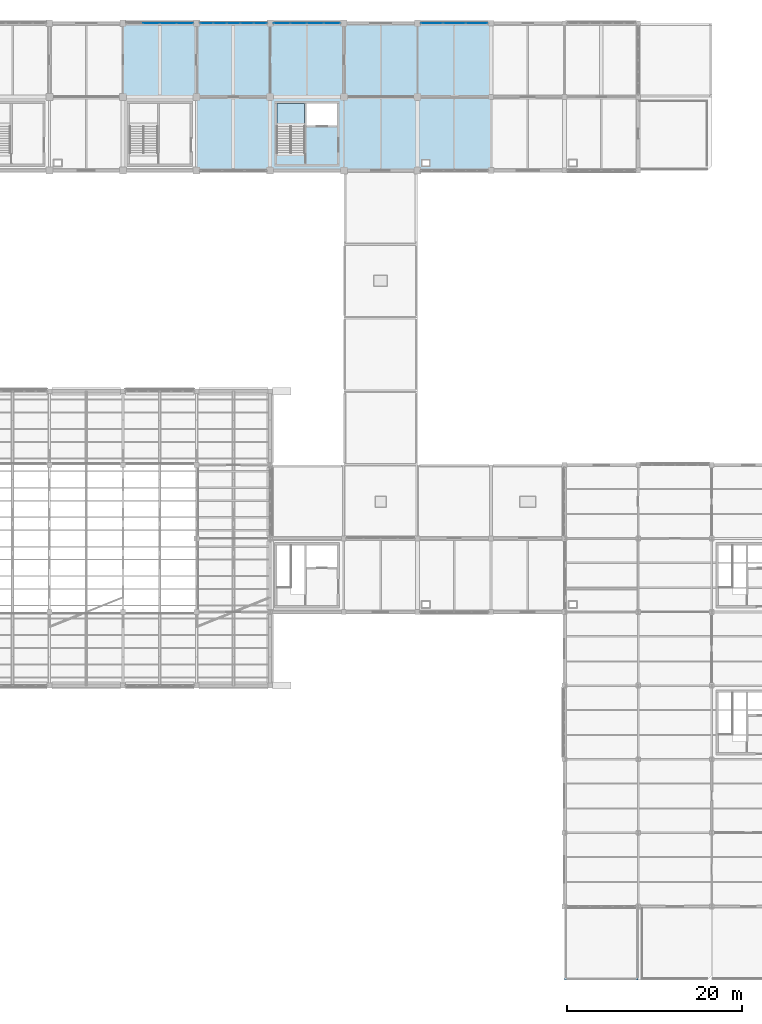
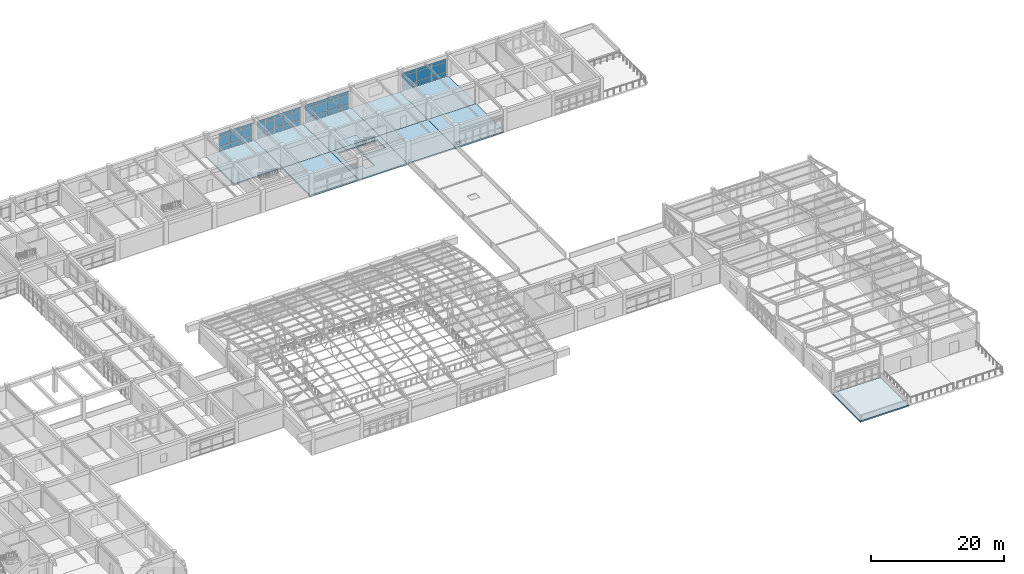
# One storey, part 56 of 74: 45 plates, 11 slabs, 5 elements without a shape of their own.
"""IFC4 building model written with IfcOpenShell, lengths in metres."""

from ifc_helpers import new_model, si_unit, direction, frame, origin, origin_2d, place, context, subcontext, project, spatial, polyline, rectangle, outline, extrude, material, layer, layer_set, type_object, element, aggregate, save


model = new_model("IFC4")

# Units and contexts
model_context = context("Model", 3, precision=1e-05, world=origin(), true_north=direction((0.0, 1.0)))
body_context = subcontext(model_context, "Body", "Model", "MODEL_VIEW")
ifc_project = project(units=[si_unit("LENGTHUNIT", "METRE"), si_unit("AREAUNIT", "SQUARE_METRE"), si_unit("VOLUMEUNIT", "CUBIC_METRE"), si_unit("PLANEANGLEUNIT", "RADIAN"), si_unit("MASSUNIT", "GRAM", prefix="KILO")], contexts=[model_context])

# Site, building, storey
site_placement = place(None, origin())
site = spatial("IfcSite", under=ifc_project, at=site_placement, CompositionType="ELEMENT")
building_placement = place(site_placement, origin())
building = spatial("IfcBuilding", under=site, at=building_placement, Name="Porcellanite Civic Hall", CompositionType="ELEMENT")
storey_placement = place(building_placement, frame((0.0, 0.0, 14.760009765625)))
storey = spatial("IfcBuildingStorey", under=building, at=storey_placement, Name="L03", CompositionType="ELEMENT", Elevation=14.760009765625)

# Curtain wall, plates
ifc_material_1 = material(Name="Anodised aluminium and solar laminated glass", Category="aluminium")
ifc_layer_1 = layer(ifc_material_1, 0.179931640625)
ifc_layer_set_1 = layer_set([ifc_layer_1], Name="Anodised aluminium and solar laminated glass")
curtain_wall_type_1 = type_object("IfcCurtainWallType", Name="CW-SYS08", PredefinedType="NOTDEFINED", material=ifc_layer_set_1)
curtain_wall_1_placement = place(storey_placement, origin())
curtain_wall_1 = element("IfcCurtainWall", 1, at=curtain_wall_1_placement, inside=storey, type_object=curtain_wall_type_1, Name="Curtain wall CW-220", PredefinedType="NOTDEFINED")
ifc_material_2 = material(Name="Cyclone laminated solar-control low-E glass", Category="glass")
ifc_layer_2 = layer(ifc_material_2, 0.02392578125)
ifc_layer_set_2 = layer_set([ifc_layer_2], Name="Cyclone laminated solar-control low-E glass")
plate_type_1 = type_object("IfcPlateType", Name="CWP-01", PredefinedType="CURTAIN_PANEL", material=ifc_layer_set_2)
plate_1_placement = place(storey_placement, frame((127.658203125, 117.60009765625, 0.070068359375), z_axis=(0.0, 0.0, 1.0), x_axis=(1.0, 0.0, 0.0)))
plate_1 = element("IfcPlate", 2, at=plate_1_placement, type_object=plate_type_1, Name="CW-220 panel 1.1", PredefinedType="CURTAIN_PANEL", context=body_context, shape_type="SweptSolid", body=[
    extrude(rectangle(XDim=2.454345703125, YDim=0.02392578125, at=origin_2d()), origin(), (0.0, 0.0, 1.0), 0.794921875),
])
plate_2_placement = place(storey_placement, frame((127.658203125, 117.60009765625, 0.93505859375), z_axis=(0.0, 0.0, 1.0), x_axis=(1.0, 0.0, 0.0)))
plate_2 = element("IfcPlate", 3, at=plate_2_placement, type_object=plate_type_1, Name="CW-220 panel 1.2", PredefinedType="CURTAIN_PANEL", context=body_context, shape_type="SweptSolid", body=[
    extrude(rectangle(XDim=2.454345703125, YDim=0.02392578125, at=origin_2d()), origin(), (0.0, 0.0, 1.0), 1.75),
])
plate_3_placement = place(storey_placement, frame((127.658203125, 117.60009765625, 2.755126953125), z_axis=(0.0, 0.0, 1.0), x_axis=(1.0, 0.0, 0.0)))
plate_3 = element("IfcPlate", 4, at=plate_3_placement, type_object=plate_type_1, Name="CW-220 panel 1.3", PredefinedType="CURTAIN_PANEL", context=body_context, shape_type="SweptSolid", body=[
    extrude(rectangle(XDim=2.454345703125, YDim=0.02392578125, at=origin_2d()), origin(), (0.0, 0.0, 1.0), 0.544921875),
])
plate_4_placement = place(storey_placement, frame((130.21240234375, 117.60009765625, 0.070068359375), z_axis=(0.0, 0.0, 1.0), x_axis=(1.0, 0.0, 0.0)))
plate_4 = element("IfcPlate", 5, at=plate_4_placement, type_object=plate_type_1, Name="CW-220 panel 2.1", PredefinedType="CURTAIN_PANEL", context=body_context, shape_type="SweptSolid", body=[
    extrude(rectangle(XDim=2.494384765625, YDim=0.02392578125, at=origin_2d()), origin(), (0.0, 0.0, 1.0), 0.794921875),
])
plate_5_placement = place(storey_placement, frame((130.21240234375, 117.60009765625, 0.93505859375), z_axis=(0.0, 0.0, 1.0), x_axis=(1.0, 0.0, 0.0)))
plate_5 = element("IfcPlate", 6, at=plate_5_placement, type_object=plate_type_1, Name="CW-220 panel 2.2", PredefinedType="CURTAIN_PANEL", context=body_context, shape_type="SweptSolid", body=[
    extrude(rectangle(XDim=2.494384765625, YDim=0.02392578125, at=origin_2d()), origin(), (0.0, 0.0, 1.0), 1.75),
])
plate_6_placement = place(storey_placement, frame((130.21240234375, 117.60009765625, 2.755126953125), z_axis=(0.0, 0.0, 1.0), x_axis=(1.0, 0.0, 0.0)))
plate_6 = element("IfcPlate", 7, at=plate_6_placement, type_object=plate_type_1, Name="CW-220 panel 2.3", PredefinedType="CURTAIN_PANEL", context=body_context, shape_type="SweptSolid", body=[
    extrude(rectangle(XDim=2.494384765625, YDim=0.02392578125, at=origin_2d()), origin(), (0.0, 0.0, 1.0), 0.544921875),
])
plate_7_placement = place(storey_placement, frame((132.766845703125, 117.60009765625, 0.070068359375), z_axis=(0.0, 0.0, 1.0), x_axis=(1.0, 0.0, 0.0)))
plate_7 = element("IfcPlate", 8, at=plate_7_placement, type_object=plate_type_1, Name="CW-220 panel 3.1", PredefinedType="CURTAIN_PANEL", context=body_context, shape_type="SweptSolid", body=[
    extrude(rectangle(XDim=2.454345703125, YDim=0.02392578125, at=origin_2d()), origin(), (0.0, 0.0, 1.0), 0.794921875),
])
plate_8_placement = place(storey_placement, frame((132.766845703125, 117.60009765625, 0.93505859375), z_axis=(0.0, 0.0, 1.0), x_axis=(1.0, 0.0, 0.0)))
plate_8 = element("IfcPlate", 9, at=plate_8_placement, type_object=plate_type_1, Name="CW-220 panel 3.2", PredefinedType="CURTAIN_PANEL", context=body_context, shape_type="SweptSolid", body=[
    extrude(rectangle(XDim=2.454345703125, YDim=0.02392578125, at=origin_2d()), origin(), (0.0, 0.0, 1.0), 1.75),
])
plate_9_placement = place(storey_placement, frame((132.766845703125, 117.60009765625, 2.755126953125), z_axis=(0.0, 0.0, 1.0), x_axis=(1.0, 0.0, 0.0)))
plate_9 = element("IfcPlate", 10, at=plate_9_placement, type_object=plate_type_1, Name="CW-220 panel 3.3", PredefinedType="CURTAIN_PANEL", context=body_context, shape_type="SweptSolid", body=[
    extrude(rectangle(XDim=2.454345703125, YDim=0.02392578125, at=origin_2d()), origin(), (0.0, 0.0, 1.0), 0.544921875),
])
aggregate(curtain_wall_1, [plate_1, plate_2, plate_3, plate_4, plate_5, plate_6, plate_7, plate_8, plate_9])

ifc_material_3 = material(Name="Anodised aluminium and solar laminated glass", Category="aluminium")
ifc_layer_3 = layer(ifc_material_3, 0.179931640625)
ifc_layer_set_3 = layer_set([ifc_layer_3], Name="Anodised aluminium and solar laminated glass")
curtain_wall_type_2 = type_object("IfcCurtainWallType", Name="CW-SYS06", PredefinedType="NOTDEFINED", material=ifc_layer_set_3)
curtain_wall_2_placement = place(storey_placement, origin())
curtain_wall_2 = element("IfcCurtainWall", 11, at=curtain_wall_2_placement, inside=storey, type_object=curtain_wall_type_2, Name="Curtain wall CW-212", PredefinedType="NOTDEFINED")
ifc_material_4 = material(Name="Cyclone laminated solar-control low-E glass", Category="glass")
ifc_layer_4 = layer(ifc_material_4, 0.028076171875)
ifc_layer_set_4 = layer_set([ifc_layer_4], Name="Cyclone laminated solar-control low-E glass")
plate_type_2 = type_object("IfcPlateType", Name="CWP-03", PredefinedType="CURTAIN_PANEL", material=ifc_layer_set_4)
plate_10_placement = place(storey_placement, frame((95.62841796875, 117.60009765625, 0.0498046875), z_axis=(0.0, 0.0, 1.0), x_axis=(1.0, 0.0, 0.0)))
plate_10 = element("IfcPlate", 12, at=plate_10_placement, type_object=plate_type_2, Name="CW-212 panel 2.1", PredefinedType="CURTAIN_PANEL", context=body_context, shape_type="SweptSolid", body=[
    extrude(rectangle(XDim=1.853271484375, YDim=0.028076171875, at=origin_2d()), origin(), (0.0, 0.0, 1.0), 0.824951171875),
])
plate_11_placement = place(storey_placement, frame((95.62841796875, 117.60009765625, 0.925048828125), z_axis=(0.0, 0.0, 1.0), x_axis=(1.0, 0.0, 0.0)))
plate_11 = element("IfcPlate", 13, at=plate_11_placement, type_object=plate_type_2, Name="CW-212 panel 2.2", PredefinedType="CURTAIN_PANEL", context=body_context, shape_type="SweptSolid", body=[
    extrude(rectangle(XDim=1.853271484375, YDim=0.028076171875, at=origin_2d()), origin(), (0.0, 0.0, 1.0), 1.77001953125),
])
plate_12_placement = place(storey_placement, frame((95.62841796875, 117.60009765625, 2.7451171875), z_axis=(0.0, 0.0, 1.0), x_axis=(1.0, 0.0, 0.0)))
plate_12 = element("IfcPlate", 14, at=plate_12_placement, type_object=plate_type_2, Name="CW-212 panel 2.3", PredefinedType="CURTAIN_PANEL", context=body_context, shape_type="SweptSolid", body=[
    extrude(rectangle(XDim=1.853271484375, YDim=0.028076171875, at=origin_2d()), origin(), (0.0, 0.0, 1.0), 0.574951171875),
])
plate_13_placement = place(storey_placement, frame((97.546630859375, 117.60009765625, 0.0498046875), z_axis=(0.0, 0.0, 1.0), x_axis=(1.0, 0.0, 0.0)))
plate_13 = element("IfcPlate", 15, at=plate_13_placement, type_object=plate_type_2, Name="CW-212 panel 3.1", PredefinedType="CURTAIN_PANEL", context=body_context, shape_type="SweptSolid", body=[
    extrude(rectangle(XDim=1.853271484375, YDim=0.028076171875, at=origin_2d()), origin(), (0.0, 0.0, 1.0), 0.824951171875),
])
plate_14_placement = place(storey_placement, frame((97.546630859375, 117.60009765625, 0.925048828125), z_axis=(0.0, 0.0, 1.0), x_axis=(1.0, 0.0, 0.0)))
plate_14 = element("IfcPlate", 16, at=plate_14_placement, type_object=plate_type_2, Name="CW-212 panel 3.2", PredefinedType="CURTAIN_PANEL", context=body_context, shape_type="SweptSolid", body=[
    extrude(rectangle(XDim=1.853271484375, YDim=0.028076171875, at=origin_2d()), origin(), (0.0, 0.0, 1.0), 1.77001953125),
])
plate_15_placement = place(storey_placement, frame((97.546630859375, 117.60009765625, 2.7451171875), z_axis=(0.0, 0.0, 1.0), x_axis=(1.0, 0.0, 0.0)))
plate_15 = element("IfcPlate", 17, at=plate_15_placement, type_object=plate_type_2, Name="CW-212 panel 3.3", PredefinedType="CURTAIN_PANEL", context=body_context, shape_type="SweptSolid", body=[
    extrude(rectangle(XDim=1.853271484375, YDim=0.028076171875, at=origin_2d()), origin(), (0.0, 0.0, 1.0), 0.574951171875),
])
plate_16_placement = place(storey_placement, frame((99.44873046875, 117.60009765625, 0.0498046875), z_axis=(0.0, 0.0, 1.0), x_axis=(1.0, 0.0, 0.0)))
plate_16 = element("IfcPlate", 18, at=plate_16_placement, type_object=plate_type_2, Name="CW-212 panel 4.1", PredefinedType="CURTAIN_PANEL", context=body_context, shape_type="SweptSolid", body=[
    extrude(rectangle(XDim=1.82080078125, YDim=0.028076171875, at=origin_2d()), origin(), (0.0, 0.0, 1.0), 0.824951171875),
])
plate_17_placement = place(storey_placement, frame((99.44873046875, 117.60009765625, 0.925048828125), z_axis=(0.0, 0.0, 1.0), x_axis=(1.0, 0.0, 0.0)))
plate_17 = element("IfcPlate", 19, at=plate_17_placement, type_object=plate_type_2, Name="CW-212 panel 4.2", PredefinedType="CURTAIN_PANEL", context=body_context, shape_type="SweptSolid", body=[
    extrude(rectangle(XDim=1.82080078125, YDim=0.028076171875, at=origin_2d()), origin(), (0.0, 0.0, 1.0), 1.77001953125),
])
plate_18_placement = place(storey_placement, frame((99.44873046875, 117.60009765625, 2.7451171875), z_axis=(0.0, 0.0, 1.0), x_axis=(1.0, 0.0, 0.0)))
plate_18 = element("IfcPlate", 20, at=plate_18_placement, type_object=plate_type_2, Name="CW-212 panel 4.3", PredefinedType="CURTAIN_PANEL", context=body_context, shape_type="SweptSolid", body=[
    extrude(rectangle(XDim=1.82080078125, YDim=0.028076171875, at=origin_2d()), origin(), (0.0, 0.0, 1.0), 0.574951171875),
])
aggregate(curtain_wall_2, [plate_10, plate_11, plate_12, plate_13, plate_14, plate_15, plate_16, plate_17, plate_18])

ifc_material_5 = material(Name="Anodised aluminium and solar laminated glass", Category="aluminium")
ifc_layer_5 = layer(ifc_material_5, 0.179931640625)
ifc_layer_set_5 = layer_set([ifc_layer_5], Name="Anodised aluminium and solar laminated glass")
curtain_wall_type_3 = type_object("IfcCurtainWallType", Name="CW-SYS01", PredefinedType="NOTDEFINED", material=ifc_layer_set_5)
curtain_wall_3_placement = place(storey_placement, origin())
curtain_wall_3 = element("IfcCurtainWall", 21, at=curtain_wall_3_placement, inside=storey, type_object=curtain_wall_type_3, Name="Curtain wall CW-215", PredefinedType="NOTDEFINED")
ifc_material_6 = material(Name="Cyclone laminated solar-control low-E glass", Category="glass")
ifc_layer_6 = layer(ifc_material_6, 0.033935546875)
ifc_layer_set_6 = layer_set([ifc_layer_6], Name="Cyclone laminated solar-control low-E glass")
plate_type_3 = type_object("IfcPlateType", Name="CWP-06", PredefinedType="CURTAIN_PANEL", material=ifc_layer_set_6)
plate_19_placement = place(storey_placement, frame((101.960693359375, 117.60009765625, 0.06005859375), z_axis=(0.0, 0.0, 1.0), x_axis=(1.0, 0.0, 0.0)))
plate_19 = element("IfcPlate", 22, at=plate_19_placement, type_object=plate_type_3, Name="CW-215 panel 1.1", PredefinedType="CURTAIN_PANEL", context=body_context, shape_type="SweptSolid", body=[
    extrude(rectangle(XDim=1.4296875, YDim=0.033935546875, at=origin_2d()), origin(), (0.0, 0.0, 1.0), 0.81005859375),
])
plate_20_placement = place(storey_placement, frame((101.960693359375, 117.60009765625, 0.93017578125), z_axis=(0.0, 0.0, 1.0), x_axis=(1.0, 0.0, 0.0)))
plate_20 = element("IfcPlate", 23, at=plate_20_placement, type_object=plate_type_3, Name="CW-215 panel 1.2", PredefinedType="CURTAIN_PANEL", context=body_context, shape_type="SweptSolid", body=[
    extrude(rectangle(XDim=1.4296875, YDim=0.033935546875, at=origin_2d()), origin(), (0.0, 0.0, 1.0), 1.760009765625),
])
plate_21_placement = place(storey_placement, frame((101.960693359375, 117.60009765625, 2.75), z_axis=(0.0, 0.0, 1.0), x_axis=(1.0, 0.0, 0.0)))
plate_21 = element("IfcPlate", 24, at=plate_21_placement, type_object=plate_type_3, Name="CW-215 panel 1.3", PredefinedType="CURTAIN_PANEL", context=body_context, shape_type="SweptSolid", body=[
    extrude(rectangle(XDim=1.4296875, YDim=0.033935546875, at=origin_2d()), origin(), (0.0, 0.0, 1.0), 0.56005859375),
])
plate_22_placement = place(storey_placement, frame((103.477783203125, 117.60009765625, 0.06005859375), z_axis=(0.0, 0.0, 1.0), x_axis=(1.0, 0.0, 0.0)))
plate_22 = element("IfcPlate", 25, at=plate_22_placement, type_object=plate_type_3, Name="CW-215 panel 2.1", PredefinedType="CURTAIN_PANEL", context=body_context, shape_type="SweptSolid", body=[
    extrude(rectangle(XDim=1.464599609375, YDim=0.033935546875, at=origin_2d()), origin(), (0.0, 0.0, 1.0), 0.81005859375),
])
plate_23_placement = place(storey_placement, frame((103.477783203125, 117.60009765625, 0.93017578125), z_axis=(0.0, 0.0, 1.0), x_axis=(1.0, 0.0, 0.0)))
plate_23 = element("IfcPlate", 26, at=plate_23_placement, type_object=plate_type_3, Name="CW-215 panel 2.2", PredefinedType="CURTAIN_PANEL", context=body_context, shape_type="SweptSolid", body=[
    extrude(rectangle(XDim=1.464599609375, YDim=0.033935546875, at=origin_2d()), origin(), (0.0, 0.0, 1.0), 1.760009765625),
])
plate_24_placement = place(storey_placement, frame((103.477783203125, 117.60009765625, 2.75), z_axis=(0.0, 0.0, 1.0), x_axis=(1.0, 0.0, 0.0)))
plate_24 = element("IfcPlate", 27, at=plate_24_placement, type_object=plate_type_3, Name="CW-215 panel 2.3", PredefinedType="CURTAIN_PANEL", context=body_context, shape_type="SweptSolid", body=[
    extrude(rectangle(XDim=1.464599609375, YDim=0.033935546875, at=origin_2d()), origin(), (0.0, 0.0, 1.0), 0.56005859375),
])
plate_25_placement = place(storey_placement, frame((105.012451171875, 117.60009765625, 0.06005859375), z_axis=(0.0, 0.0, 1.0), x_axis=(1.0, 0.0, 0.0)))
plate_25 = element("IfcPlate", 28, at=plate_25_placement, type_object=plate_type_3, Name="CW-215 panel 3.1", PredefinedType="CURTAIN_PANEL", context=body_context, shape_type="SweptSolid", body=[
    extrude(rectangle(XDim=1.464599609375, YDim=0.033935546875, at=origin_2d()), origin(), (0.0, 0.0, 1.0), 0.81005859375),
])
plate_26_placement = place(storey_placement, frame((105.012451171875, 117.60009765625, 0.93017578125), z_axis=(0.0, 0.0, 1.0), x_axis=(1.0, 0.0, 0.0)))
plate_26 = element("IfcPlate", 29, at=plate_26_placement, type_object=plate_type_3, Name="CW-215 panel 3.2", PredefinedType="CURTAIN_PANEL", context=body_context, shape_type="SweptSolid", body=[
    extrude(rectangle(XDim=1.464599609375, YDim=0.033935546875, at=origin_2d()), origin(), (0.0, 0.0, 1.0), 1.760009765625),
])
plate_27_placement = place(storey_placement, frame((105.012451171875, 117.60009765625, 2.75), z_axis=(0.0, 0.0, 1.0), x_axis=(1.0, 0.0, 0.0)))
plate_27 = element("IfcPlate", 30, at=plate_27_placement, type_object=plate_type_3, Name="CW-215 panel 3.3", PredefinedType="CURTAIN_PANEL", context=body_context, shape_type="SweptSolid", body=[
    extrude(rectangle(XDim=1.464599609375, YDim=0.033935546875, at=origin_2d()), origin(), (0.0, 0.0, 1.0), 0.56005859375),
])
plate_28_placement = place(storey_placement, frame((106.547119140625, 117.60009765625, 0.06005859375), z_axis=(0.0, 0.0, 1.0), x_axis=(1.0, 0.0, 0.0)))
plate_28 = element("IfcPlate", 31, at=plate_28_placement, type_object=plate_type_3, Name="CW-215 panel 4.1", PredefinedType="CURTAIN_PANEL", context=body_context, shape_type="SweptSolid", body=[
    extrude(rectangle(XDim=1.464599609375, YDim=0.033935546875, at=origin_2d()), origin(), (0.0, 0.0, 1.0), 0.81005859375),
])
plate_29_placement = place(storey_placement, frame((106.547119140625, 117.60009765625, 0.93017578125), z_axis=(0.0, 0.0, 1.0), x_axis=(1.0, 0.0, 0.0)))
plate_29 = element("IfcPlate", 32, at=plate_29_placement, type_object=plate_type_3, Name="CW-215 panel 4.2", PredefinedType="CURTAIN_PANEL", context=body_context, shape_type="SweptSolid", body=[
    extrude(rectangle(XDim=1.464599609375, YDim=0.033935546875, at=origin_2d()), origin(), (0.0, 0.0, 1.0), 1.760009765625),
])
plate_30_placement = place(storey_placement, frame((106.547119140625, 117.60009765625, 2.75), z_axis=(0.0, 0.0, 1.0), x_axis=(1.0, 0.0, 0.0)))
plate_30 = element("IfcPlate", 33, at=plate_30_placement, type_object=plate_type_3, Name="CW-215 panel 4.3", PredefinedType="CURTAIN_PANEL", context=body_context, shape_type="SweptSolid", body=[
    extrude(rectangle(XDim=1.464599609375, YDim=0.033935546875, at=origin_2d()), origin(), (0.0, 0.0, 1.0), 0.56005859375),
])
plate_31_placement = place(storey_placement, frame((108.064208984375, 117.60009765625, 0.06005859375), z_axis=(0.0, 0.0, 1.0), x_axis=(1.0, 0.0, 0.0)))
plate_31 = element("IfcPlate", 34, at=plate_31_placement, type_object=plate_type_3, Name="CW-215 panel 5.1", PredefinedType="CURTAIN_PANEL", context=body_context, shape_type="SweptSolid", body=[
    extrude(rectangle(XDim=1.4296875, YDim=0.033935546875, at=origin_2d()), origin(), (0.0, 0.0, 1.0), 0.81005859375),
])
plate_32_placement = place(storey_placement, frame((108.064208984375, 117.60009765625, 0.93017578125), z_axis=(0.0, 0.0, 1.0), x_axis=(1.0, 0.0, 0.0)))
plate_32 = element("IfcPlate", 35, at=plate_32_placement, type_object=plate_type_3, Name="CW-215 panel 5.2", PredefinedType="CURTAIN_PANEL", context=body_context, shape_type="SweptSolid", body=[
    extrude(rectangle(XDim=1.4296875, YDim=0.033935546875, at=origin_2d()), origin(), (0.0, 0.0, 1.0), 1.760009765625),
])
plate_33_placement = place(storey_placement, frame((108.064208984375, 117.60009765625, 2.75), z_axis=(0.0, 0.0, 1.0), x_axis=(1.0, 0.0, 0.0)))
plate_33 = element("IfcPlate", 36, at=plate_33_placement, type_object=plate_type_3, Name="CW-215 panel 5.3", PredefinedType="CURTAIN_PANEL", context=body_context, shape_type="SweptSolid", body=[
    extrude(rectangle(XDim=1.4296875, YDim=0.033935546875, at=origin_2d()), origin(), (0.0, 0.0, 1.0), 0.56005859375),
])
aggregate(curtain_wall_3, [plate_19, plate_20, plate_21, plate_22, plate_23, plate_24, plate_25, plate_26, plate_27, plate_28, plate_29, plate_30, plate_31, plate_32, plate_33])

ifc_material_7 = material(Name="Anodised aluminium and solar laminated glass", Category="aluminium")
ifc_layer_7 = layer(ifc_material_7, 0.179931640625)
ifc_layer_set_7 = layer_set([ifc_layer_7], Name="Anodised aluminium and solar laminated glass")
curtain_wall_type_4 = type_object("IfcCurtainWallType", Name="CW-SYS03", PredefinedType="NOTDEFINED", material=ifc_layer_set_7)
curtain_wall_4_placement = place(storey_placement, origin())
curtain_wall_4 = element("IfcCurtainWall", 37, at=curtain_wall_4_placement, inside=storey, type_object=curtain_wall_type_4, Name="Curtain wall CW-216", PredefinedType="NOTDEFINED")
ifc_material_8 = material(Name="Cyclone laminated solar-control low-E glass", Category="glass")
ifc_layer_8 = layer(ifc_material_8, 0.035888671875)
ifc_layer_set_8 = layer_set([ifc_layer_8], Name="Cyclone laminated solar-control low-E glass")
plate_type_4 = type_object("IfcPlateType", Name="CWP-07", PredefinedType="CURTAIN_PANEL", material=ifc_layer_set_8)
plate_34_placement = place(storey_placement, frame((110.530029296875, 117.60009765625, 0.054931640625), z_axis=(0.0, 0.0, 1.0), x_axis=(1.0, 0.0, 0.0)))
plate_34 = element("IfcPlate", 38, at=plate_34_placement, type_object=plate_type_4, Name="CW-216 panel 1.1", PredefinedType="CURTAIN_PANEL", context=body_context, shape_type="SweptSolid", body=[
    extrude(rectangle(XDim=1.79833984375, YDim=0.035888671875, at=origin_2d()), origin(), (0.0, 0.0, 1.0), 0.8173828125),
])
plate_35_placement = place(storey_placement, frame((110.530029296875, 117.60009765625, 0.927734375), z_axis=(0.0, 0.0, 1.0), x_axis=(1.0, 0.0, 0.0)))
plate_35 = element("IfcPlate", 39, at=plate_35_placement, type_object=plate_type_4, Name="CW-216 panel 1.2", PredefinedType="CURTAIN_PANEL", context=body_context, shape_type="SweptSolid", body=[
    extrude(rectangle(XDim=1.79833984375, YDim=0.035888671875, at=origin_2d()), origin(), (0.0, 0.0, 1.0), 1.764892578125),
])
plate_36_placement = place(storey_placement, frame((110.530029296875, 117.60009765625, 2.74755859375), z_axis=(0.0, 0.0, 1.0), x_axis=(1.0, 0.0, 0.0)))
plate_36 = element("IfcPlate", 40, at=plate_36_placement, type_object=plate_type_4, Name="CW-216 panel 1.3", PredefinedType="CURTAIN_PANEL", context=body_context, shape_type="SweptSolid", body=[
    extrude(rectangle(XDim=1.79833984375, YDim=0.035888671875, at=origin_2d()), origin(), (0.0, 0.0, 1.0), 0.5673828125),
])
plate_37_placement = place(storey_placement, frame((112.428466796875, 117.60009765625, 0.054931640625), z_axis=(0.0, 0.0, 1.0), x_axis=(1.0, 0.0, 0.0)))
plate_37 = element("IfcPlate", 41, at=plate_37_placement, type_object=plate_type_4, Name="CW-216 panel 2.1", PredefinedType="CURTAIN_PANEL", context=body_context, shape_type="SweptSolid", body=[
    extrude(rectangle(XDim=1.838134765625, YDim=0.035888671875, at=origin_2d()), origin(), (0.0, 0.0, 1.0), 0.8173828125),
])
plate_38_placement = place(storey_placement, frame((112.428466796875, 117.60009765625, 0.927734375), z_axis=(0.0, 0.0, 1.0), x_axis=(1.0, 0.0, 0.0)))
plate_38 = element("IfcPlate", 42, at=plate_38_placement, type_object=plate_type_4, Name="CW-216 panel 2.2", PredefinedType="CURTAIN_PANEL", context=body_context, shape_type="SweptSolid", body=[
    extrude(rectangle(XDim=1.838134765625, YDim=0.035888671875, at=origin_2d()), origin(), (0.0, 0.0, 1.0), 1.764892578125),
])
plate_39_placement = place(storey_placement, frame((112.428466796875, 117.60009765625, 2.74755859375), z_axis=(0.0, 0.0, 1.0), x_axis=(1.0, 0.0, 0.0)))
plate_39 = element("IfcPlate", 43, at=plate_39_placement, type_object=plate_type_4, Name="CW-216 panel 2.3", PredefinedType="CURTAIN_PANEL", context=body_context, shape_type="SweptSolid", body=[
    extrude(rectangle(XDim=1.838134765625, YDim=0.035888671875, at=origin_2d()), origin(), (0.0, 0.0, 1.0), 0.5673828125),
])
plate_40_placement = place(storey_placement, frame((114.3466796875, 117.60009765625, 0.054931640625), z_axis=(0.0, 0.0, 1.0), x_axis=(1.0, 0.0, 0.0)))
plate_40 = element("IfcPlate", 44, at=plate_40_placement, type_object=plate_type_4, Name="CW-216 panel 3.1", PredefinedType="CURTAIN_PANEL", context=body_context, shape_type="SweptSolid", body=[
    extrude(rectangle(XDim=1.838134765625, YDim=0.035888671875, at=origin_2d()), origin(), (0.0, 0.0, 1.0), 0.8173828125),
])
plate_41_placement = place(storey_placement, frame((114.3466796875, 117.60009765625, 0.927734375), z_axis=(0.0, 0.0, 1.0), x_axis=(1.0, 0.0, 0.0)))
plate_41 = element("IfcPlate", 45, at=plate_41_placement, type_object=plate_type_4, Name="CW-216 panel 3.2", PredefinedType="CURTAIN_PANEL", context=body_context, shape_type="SweptSolid", body=[
    extrude(rectangle(XDim=1.838134765625, YDim=0.035888671875, at=origin_2d()), origin(), (0.0, 0.0, 1.0), 1.764892578125),
])
plate_42_placement = place(storey_placement, frame((114.3466796875, 117.60009765625, 2.74755859375), z_axis=(0.0, 0.0, 1.0), x_axis=(1.0, 0.0, 0.0)))
plate_42 = element("IfcPlate", 46, at=plate_42_placement, type_object=plate_type_4, Name="CW-216 panel 3.3", PredefinedType="CURTAIN_PANEL", context=body_context, shape_type="SweptSolid", body=[
    extrude(rectangle(XDim=1.838134765625, YDim=0.035888671875, at=origin_2d()), origin(), (0.0, 0.0, 1.0), 0.5673828125),
])
plate_43_placement = place(storey_placement, frame((116.244873046875, 117.60009765625, 0.054931640625), z_axis=(0.0, 0.0, 1.0), x_axis=(1.0, 0.0, 0.0)))
plate_43 = element("IfcPlate", 47, at=plate_43_placement, type_object=plate_type_4, Name="CW-216 panel 4.1", PredefinedType="CURTAIN_PANEL", context=body_context, shape_type="SweptSolid", body=[
    extrude(rectangle(XDim=1.79833984375, YDim=0.035888671875, at=origin_2d()), origin(), (0.0, 0.0, 1.0), 0.8173828125),
])
plate_44_placement = place(storey_placement, frame((116.244873046875, 117.60009765625, 0.927734375), z_axis=(0.0, 0.0, 1.0), x_axis=(1.0, 0.0, 0.0)))
plate_44 = element("IfcPlate", 48, at=plate_44_placement, type_object=plate_type_4, Name="CW-216 panel 4.2", PredefinedType="CURTAIN_PANEL", context=body_context, shape_type="SweptSolid", body=[
    extrude(rectangle(XDim=1.79833984375, YDim=0.035888671875, at=origin_2d()), origin(), (0.0, 0.0, 1.0), 1.764892578125),
])
plate_45_placement = place(storey_placement, frame((116.244873046875, 117.60009765625, 2.74755859375), z_axis=(0.0, 0.0, 1.0), x_axis=(1.0, 0.0, 0.0)))
plate_45 = element("IfcPlate", 49, at=plate_45_placement, type_object=plate_type_4, Name="CW-216 panel 4.3", PredefinedType="CURTAIN_PANEL", context=body_context, shape_type="SweptSolid", body=[
    extrude(rectangle(XDim=1.79833984375, YDim=0.035888671875, at=origin_2d()), origin(), (0.0, 0.0, 1.0), 0.5673828125),
])
aggregate(curtain_wall_4, [plate_34, plate_35, plate_36, plate_37, plate_38, plate_39, plate_40, plate_41, plate_42, plate_43, plate_44, plate_45])

# Stair, slab
ifc_material_9 = material(Name="Concrete N40 (40 MPa)", Category="concrete")
stair_type = type_object("IfcStairType", Name="STR-HT24", PredefinedType="HALF_TURN_STAIR", material=ifc_material_9)
stair_placement = place(storey_placement, origin())
stair = element("IfcStair", 50, at=stair_placement, inside=storey, type_object=stair_type, Name="Fire stair ST-04 L03", PredefinedType="HALF_TURN_STAIR")
ifc_material_10 = material(Name="Concrete N40 (40 MPa)", Category="concrete")
ifc_layer_9 = layer(ifc_material_10, 0.179931640625)
ifc_layer_set_9 = layer_set([ifc_layer_9], Name="Concrete N40 (40 MPa)")
slab_type_1 = type_object("IfcSlabType", Name="LND-18", PredefinedType="LANDING", material=ifc_layer_set_9)
slab_1_placement = place(storey_placement, frame((0.0, 0.0, 1.97998046875)))
slab_1 = element("IfcSlab", 51, at=slab_1_placement, type_object=slab_type_1, Name="ST-04 landing 1", PredefinedType="LANDING", context=body_context, shape_type="SweptSolid", body=[
    extrude(outline(polyline([(109.96044921875, 105.824951171875), (113.119384765625, 105.824951171875), (113.119384765625, 108.439453125), (109.96044921875, 108.439453125), (109.96044921875, 105.824951171875)])), origin(), (0.0, 0.0, 1.0), 0.179931640625),
])
aggregate(stair, [slab_1])

# Slabs
ifc_material_11 = material(Name="Concrete N40 (40 MPa)", Category="concrete")
ifc_layer_10 = layer(ifc_material_11, 0.25)
ifc_layer_set_10 = layer_set([ifc_layer_10], Name="Concrete N40 (40 MPa)")
slab_type_2 = type_object("IfcSlabType", Name="SL-FL250", PredefinedType="FLOOR", material=ifc_layer_set_10)
slab_2_placement = place(storey_placement, frame((0.0, 0.0, -0.25)))
element("IfcSlab", 52, at=slab_2_placement, inside=storey, type_object=slab_type_2, Name="Slab L03 bay 13-14", PredefinedType="FLOOR", context=body_context, shape_type="SweptSolid", body=[
    extrude(outline(polyline([(100.800048828125, 109.199951171875), (109.199951171875, 109.199951171875), (109.199951171875, 117.60009765625), (100.800048828125, 117.60009765625), (100.800048828125, 109.199951171875)])), origin(), (0.0, 0.0, 1.0), 0.25),
])
slab_3_placement = place(storey_placement, frame((0.0, 0.0, -0.25)))
element("IfcSlab", 53, at=slab_3_placement, inside=storey, type_object=slab_type_2, Name="Slab L03 bay 14-13", PredefinedType="FLOOR", context=body_context, shape_type="SweptSolid", body=[
    extrude(outline(polyline([(109.199951171875, 100.800048828125), (117.60009765625, 100.800048828125), (117.60009765625, 109.199951171875), (109.199951171875, 109.199951171875), (109.199951171875, 100.800048828125)]), holes=[polyline([(109.97998046875, 103.64990234375), (111.56005859375, 103.64990234375), (111.56005859375, 102.800048828125), (113.1201171875, 102.800048828125), (113.1201171875, 108.419921875), (109.97998046875, 108.419921875), (109.97998046875, 103.64990234375)]), polyline([(113.360107421875, 105.93994140625), (116.820068359375, 105.93994140625), (116.820068359375, 108.419921875), (113.360107421875, 108.419921875), (113.360107421875, 105.93994140625)])]), origin(), (0.0, 0.0, 1.0), 0.25),
])
slab_4_placement = place(storey_placement, frame((0.0, 0.0, -0.25)))
element("IfcSlab", 54, at=slab_4_placement, inside=storey, type_object=slab_type_2, Name="Slab L03 bay 14-14", PredefinedType="FLOOR", context=body_context, shape_type="SweptSolid", body=[
    extrude(outline(polyline([(109.199951171875, 109.199951171875), (117.60009765625, 109.199951171875), (117.60009765625, 117.60009765625), (109.199951171875, 117.60009765625), (109.199951171875, 109.199951171875)])), origin(), (0.0, 0.0, 1.0), 0.25),
])
slab_5_placement = place(storey_placement, frame((0.0, 0.0, -0.25)))
element("IfcSlab", 55, at=slab_5_placement, inside=storey, type_object=slab_type_2, Name="Slab L03 bay 15-13", PredefinedType="FLOOR", context=body_context, shape_type="SweptSolid", body=[
    extrude(outline(polyline([(117.60009765625, 100.800048828125), (126.0, 100.800048828125), (126.0, 109.199951171875), (117.60009765625, 109.199951171875), (117.60009765625, 100.800048828125)])), origin(), (0.0, 0.0, 1.0), 0.25),
])
slab_6_placement = place(storey_placement, frame((0.0, 0.0, -0.25)))
element("IfcSlab", 56, at=slab_6_placement, inside=storey, type_object=slab_type_2, Name="Slab L03 bay 16-14", PredefinedType="FLOOR", context=body_context, shape_type="SweptSolid", body=[
    extrude(outline(polyline([(126.0, 109.199951171875), (134.39990234375, 109.199951171875), (134.39990234375, 117.60009765625), (126.0, 117.60009765625), (126.0, 109.199951171875)])), origin(), (0.0, 0.0, 1.0), 0.25),
])
ifc_material_12 = material(Name="Concrete N40 (40 MPa)", Category="concrete")
ifc_layer_11 = layer(ifc_material_12, 0.260009765625)
ifc_layer_set_11 = layer_set([ifc_layer_11], Name="Concrete N40 (40 MPa)")
slab_type_3 = type_object("IfcSlabType", Name="SL-FL260", PredefinedType="FLOOR", material=ifc_layer_set_11)
slab_7_placement = place(storey_placement, frame((0.0, 0.0, -0.260009765625)))
element("IfcSlab", 57, at=slab_7_placement, inside=storey, type_object=slab_type_3, Name="Slab L03 bay 12-14", PredefinedType="FLOOR", context=body_context, shape_type="SweptSolid", body=[
    extrude(outline(polyline([(92.39990234375, 109.199951171875), (100.800048828125, 109.199951171875), (100.800048828125, 117.60009765625), (92.39990234375, 117.60009765625), (92.39990234375, 109.199951171875)])), origin(), (0.0, 0.0, 1.0), 0.260009765625),
])
slab_8_placement = place(storey_placement, frame((0.0, 0.0, -0.260009765625)))
element("IfcSlab", 58, at=slab_8_placement, inside=storey, type_object=slab_type_3, Name="Slab L03 bay 13-13", PredefinedType="FLOOR", context=body_context, shape_type="SweptSolid", body=[
    extrude(outline(polyline([(100.800048828125, 100.800048828125), (109.199951171875, 100.800048828125), (109.199951171875, 109.199951171875), (100.800048828125, 109.199951171875), (100.800048828125, 100.800048828125)])), origin(), (0.0, 0.0, 1.0), 0.260009765625),
])
slab_9_placement = place(storey_placement, frame((0.0, 0.0, -0.260009765625)))
element("IfcSlab", 59, at=slab_9_placement, inside=storey, type_object=slab_type_3, Name="Slab L03 bay 15-14", PredefinedType="FLOOR", context=body_context, shape_type="SweptSolid", body=[
    extrude(outline(polyline([(117.60009765625, 109.199951171875), (126.0, 109.199951171875), (126.0, 117.60009765625), (117.60009765625, 117.60009765625), (117.60009765625, 109.199951171875)])), origin(), (0.0, 0.0, 1.0), 0.260009765625),
])
slab_10_placement = place(storey_placement, frame((0.0, 0.0, -0.260009765625)))
element("IfcSlab", 60, at=slab_10_placement, inside=storey, type_object=slab_type_3, Name="Slab L03 bay 16-13", PredefinedType="FLOOR", context=body_context, shape_type="SweptSolid", body=[
    extrude(outline(polyline([(126.0, 100.800048828125), (134.39990234375, 100.800048828125), (134.39990234375, 109.199951171875), (126.0, 109.199951171875), (126.0, 100.800048828125)]), holes=[polyline([(126.550048828125, 101.35009765625), (127.35009765625, 101.35009765625), (127.35009765625, 101.949951171875), (126.550048828125, 101.949951171875), (126.550048828125, 101.35009765625)])]), origin(), (0.0, 0.0, 1.0), 0.260009765625),
])
ifc_material_13 = material(Name="Concrete N40 (40 MPa)", Category="concrete")
ifc_layer_12 = layer(ifc_material_13, 0.260009765625)
ifc_layer_set_12 = layer_set([ifc_layer_12], Name="Concrete N40 (40 MPa)")
slab_type_4 = type_object("IfcSlabType", Name="SL-RF260", PredefinedType="ROOF", material=ifc_layer_set_12)
slab_11_placement = place(storey_placement, frame((0.0, 0.0, -0.260009765625)))
element("IfcSlab", 61, at=slab_11_placement, inside=storey, type_object=slab_type_4, Name="Roof slab L03 18-2", PredefinedType="ROOF", context=body_context, shape_type="SweptSolid", body=[
    extrude(outline(polyline([(142.800048828125, 8.39990234375), (151.199951171875, 8.39990234375), (151.199951171875, 16.800048828125), (142.800048828125, 16.800048828125), (142.800048828125, 8.39990234375)])), origin(), (0.0, 0.0, 1.0), 0.260009765625),
])

save(model, "model.ifc")
